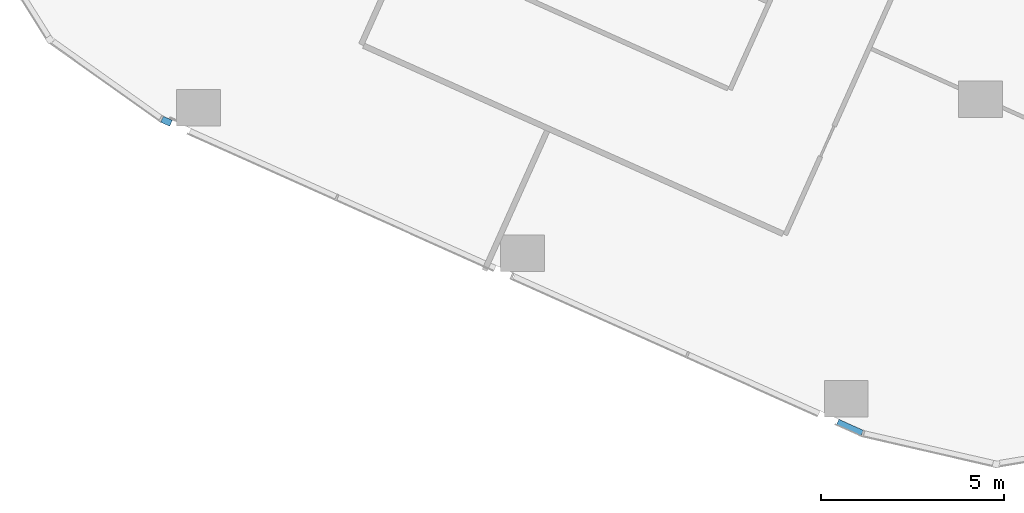
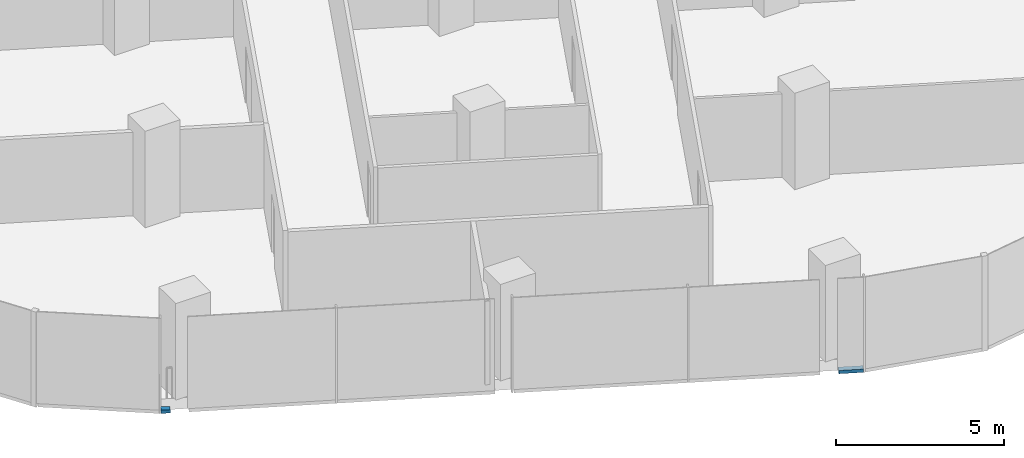
# One storey, part 16 of 34: 2 members, 1 element without a shape of its own.
"""IFC4 building model written with IfcOpenShell, lengths in metres."""

from ifc_helpers import new_model, si_unit, direction, frame, origin, origin_2d, place, context, subcontext, project, spatial, rectangle, extrude, material, material_profile, profile_set, type_object, element, aggregate, save


model = new_model("IFC4")

# Units and contexts
model_context = context("Model", 3, precision=1e-05, world=origin(), true_north=direction((0.0, 1.0)))
body_context = subcontext(model_context, "Body", "Model", "MODEL_VIEW")
ifc_project = project(units=[si_unit("LENGTHUNIT", "METRE"), si_unit("AREAUNIT", "SQUARE_METRE"), si_unit("VOLUMEUNIT", "CUBIC_METRE"), si_unit("PLANEANGLEUNIT", "RADIAN"), si_unit("MASSUNIT", "GRAM", prefix="KILO")], contexts=[model_context])

# Site, building, storey
site_placement = place(None, origin())
site = spatial("IfcSite", under=ifc_project, at=site_placement, CompositionType="ELEMENT")
building_placement = place(site_placement, origin())
building = spatial("IfcBuilding", under=site, at=building_placement, Name="Orlundy Tower", CompositionType="ELEMENT")
storey_placement = place(building_placement, frame((0.0, 0.0, 134.199951171875)))
storey = spatial("IfcBuildingStorey", under=building, at=storey_placement, Name="L34", CompositionType="ELEMENT", Elevation=134.199951171875)

# Curtain wall, members
ifc_material_1 = material(Name="Aluminium bronze anodised", Category="aluminium")
curtain_wall_type = type_object("IfcCurtainWallType", Name="CW1 wall", PredefinedType="NOTDEFINED", material=ifc_material_1)
curtain_wall_placement = place(storey_placement, origin())
curtain_wall = element("IfcCurtainWall", 1, at=curtain_wall_placement, inside=storey, type_object=curtain_wall_type, Name="CW1 run 023", PredefinedType="NOTDEFINED")
ifc_material_2 = material(Name="Aluminium bronze anodised", Category="aluminium")
ifc_material_profile = material_profile(ifc_material_2, rectangle(XDim=0.179931640625, YDim=0.1201171875, at=origin_2d()), Name="CW1 transom 180x120")
ifc_profile_set = profile_set([ifc_material_profile], Name="Aluminium bronze anodised")
member_type = type_object("IfcMemberType", Name="CW1 transom 180x120", PredefinedType="USERDEFINED", material=ifc_profile_set)
member_1_placement = place(storey_placement, frame((-15.23974609375, -59.571533203125, -0.33984375), z_axis=(-0.912282218677, 0.409562148502, 0.0), x_axis=(-0.409562148502, -0.912282218677, 0.0)))
member_1 = element("IfcMember", 2, at=member_1_placement, type_object=member_type, Name="CW1 transom", ObjectType="TRANSOM", PredefinedType="USERDEFINED", context=body_context, shape_type="SweptSolid", body=[
    extrude(rectangle(XDim=0.179931640625, YDim=0.1201171875, at=origin_2d()), origin(), (0.0, 0.0, 1.0), 0.73388671875),
])
member_2_placement = place(storey_placement, frame((-34.1220703125, -51.09912109375, -0.33984375), z_axis=(-0.912324305471, 0.40946838907, 0.0), x_axis=(-0.40946838907, -0.912324305471, 0.0)))
member_2 = element("IfcMember", 3, at=member_2_placement, type_object=member_type, Name="CW1 transom", ObjectType="TRANSOM", PredefinedType="USERDEFINED", context=body_context, shape_type="SweptSolid", body=[
    extrude(rectangle(XDim=0.179931640625, YDim=0.1201171875, at=origin_2d()), origin(), (0.0, 0.0, 1.0), 0.27197265625),
])
aggregate(curtain_wall, [member_1, member_2])

save(model, "model.ifc")
